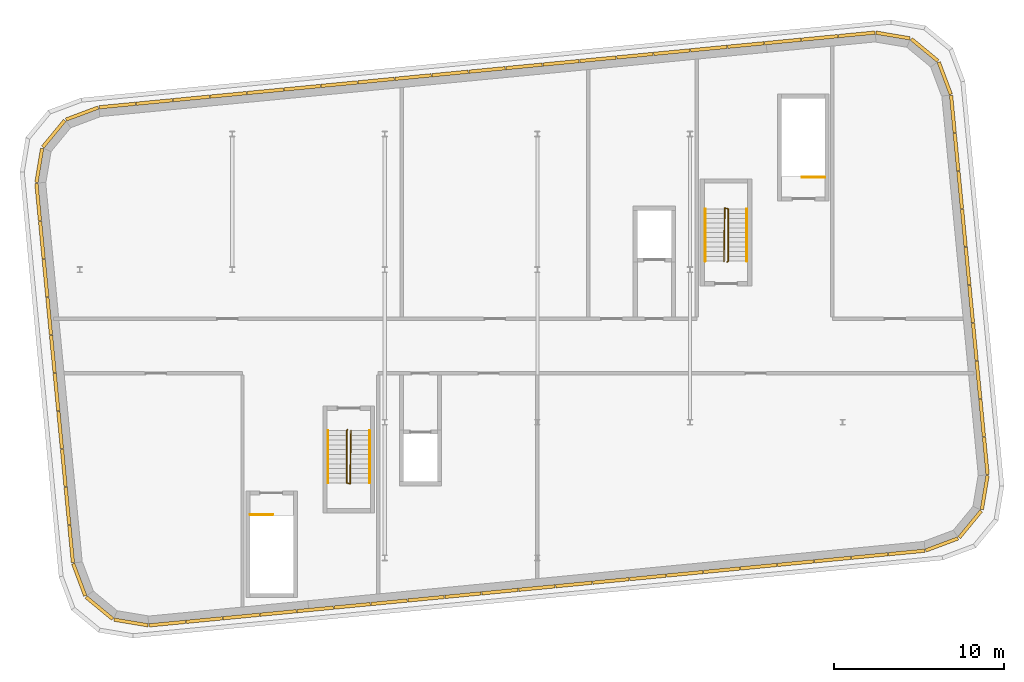
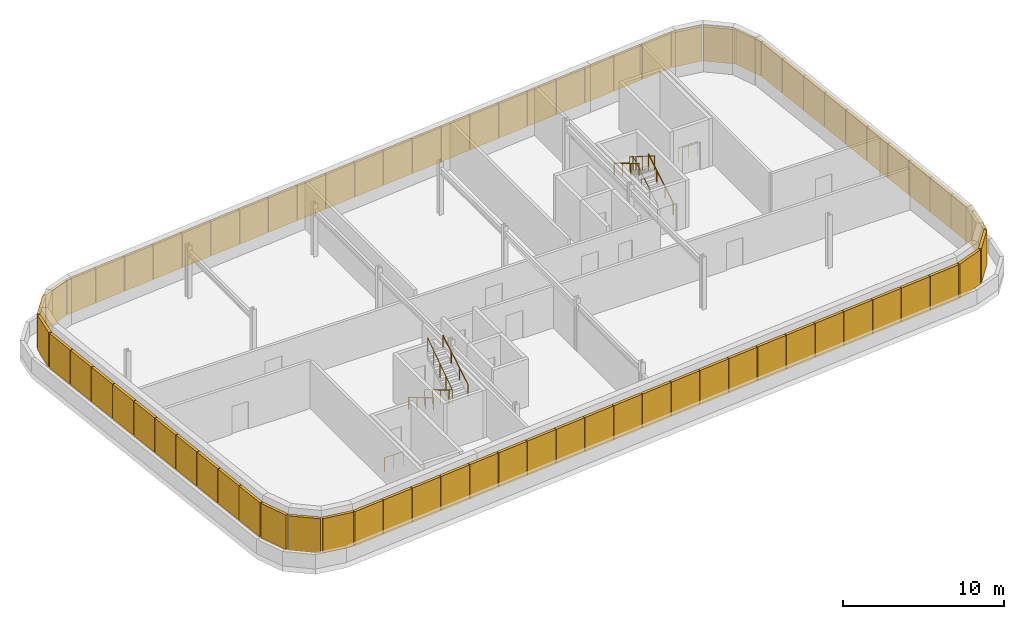
# One storey, part 6 of 6: 74 shading devices, 8 railings.
"""IFC4 building model written with IfcOpenShell, lengths in metres."""

from ifc_helpers import new_model, si_unit, direction, frame, origin, origin_2d, place, context, subcontext, project, spatial, rectangle, circle, extrude, material, type_object, element, save


model = new_model("IFC4")

# Units and contexts
model_context = context("Model", 3, precision=1e-05, world=origin(), true_north=direction((0.0, 1.0)))
body_context = subcontext(model_context, "Body", "Model", "MODEL_VIEW")
ifc_project = project(units=[si_unit("LENGTHUNIT", "METRE"), si_unit("AREAUNIT", "SQUARE_METRE"), si_unit("VOLUMEUNIT", "CUBIC_METRE"), si_unit("PLANEANGLEUNIT", "RADIAN"), si_unit("MASSUNIT", "GRAM", prefix="KILO")], contexts=[model_context])

# Site, building, storey
site_placement = place(None, origin())
site = spatial("IfcSite", under=ifc_project, at=site_placement, CompositionType="ELEMENT")
building_placement = place(site_placement, origin())
building = spatial("IfcBuilding", under=site, at=building_placement, Name="Kajstack Hotel Tower", CompositionType="ELEMENT")
storey_placement = place(building_placement, frame((0.0, 0.0, 321.800048828125)))
storey = spatial("IfcBuildingStorey", under=building, at=storey_placement, Name="L81", CompositionType="ELEMENT", Elevation=321.800048828125)

# Railings
ifc_material = material(Name="Steel S355J2", Category="steel")
railing_type_1 = type_object("IfcRailingType", Name="Stair guard 1100", PredefinedType="GUARDRAIL", material=ifc_material)
railing_1_placement = place(storey_placement, frame((-16.949951171875, -9.949951171875, 0.0)))
element("IfcRailing", 1, at=railing_1_placement, inside=storey, type_object=railing_type_1, Name="L81 W2 top well guard 1", PredefinedType="GUARDRAIL", context=body_context, shape_type="SweptSolid", body=[
    extrude(circle(Radius=0.02392578125, at=origin_2d()), frame((0.0, 0.0, 1.076171875), z_axis=(1.0, 0.0, 0.0), x_axis=(0.0, 1.0, 0.0)), (0.0, 0.0, 1.0), 1.349853515625),
    extrude(circle(Radius=0.02099609375, at=origin_2d()), origin(), (0.0, 0.0, 1.0), 1.052001953125),
    extrude(circle(Radius=0.02099609375, at=origin_2d()), frame((0.6748046875, 0.0, 0.0)), (0.0, 0.0, 1.0), 1.052001953125),
    extrude(circle(Radius=0.02099609375, at=origin_2d()), frame((1.349853515625, 0.0, 0.0)), (0.0, 0.0, 1.0), 1.052001953125),
])
railing_2_placement = place(storey_placement, frame((16.949951171875, 9.949951171875, 0.0)))
element("IfcRailing", 2, at=railing_2_placement, inside=storey, type_object=railing_type_1, Name="L81 E2 top well guard 1", PredefinedType="GUARDRAIL", context=body_context, shape_type="SweptSolid", body=[
    extrude(circle(Radius=0.02392578125, at=origin_2d()), frame((0.0, 0.0, 1.076171875), z_axis=(-1.0, 0.0, 0.0), x_axis=(0.0, -1.0, 0.0)), (0.0, 0.0, 1.0), 1.349853515625),
    extrude(circle(Radius=0.02099609375, at=origin_2d()), origin(), (0.0, 0.0, 1.0), 1.052001953125),
    extrude(circle(Radius=0.02099609375, at=origin_2d()), frame((-0.6748046875, 0.0, 0.0)), (0.0, 0.0, 1.0), 1.052001953125),
    extrude(circle(Radius=0.02099609375, at=origin_2d()), frame((-1.349853515625, 0.0, 0.0)), (0.0, 0.0, 1.0), 1.052001953125),
])
railing_3_placement = place(storey_placement, frame((-11.199951171875, -4.949951171875, 0.0)))
element("IfcRailing", 3, at=railing_3_placement, inside=storey, type_object=railing_type_1, Name="L81 R1 stair guard 1", PredefinedType="GUARDRAIL", context=body_context, shape_type="SweptSolid", body=[
    extrude(circle(Radius=0.02392578125, at=origin_2d()), frame((0.0, 0.0, 1.076171875), z_axis=(-0.27662974545, -0.27662974545, 0.920299933644), x_axis=(0.707106781187, -0.707106781187, 0.0)), (0.0, 0.0, 1.0), 0.180908203125),
    extrude(circle(Radius=0.02392578125, at=origin_2d()), frame((-0.050048828125, -0.050048828125, 1.24267578125), z_axis=(0.0, -0.85927862911, 0.511507807912), x_axis=(1.0, 0.0, 0.0)), (0.0, 0.0, 1.0), 3.58447265625),
    extrude(circle(Radius=0.02392578125, at=origin_2d()), frame((-0.050048828125, -3.130126953125, 3.076171875), z_axis=(0.970351222016, -0.241699205484, 0.0), x_axis=(0.241699205484, 0.970351222016, 0.0)), (0.0, 0.0, 1.0), 0.2060546875),
    extrude(circle(Radius=0.02392578125, at=origin_2d()), frame((0.14990234375, -3.179931640625, 3.076171875), z_axis=(0.013473340278, 0.842576694466, 0.538407822236), x_axis=(-0.999872174235, 0.01598859561, 0.0)), (0.0, 0.0, 1.0), 3.714599609375),
    extrude(circle(Radius=0.02099609375, at=origin_2d()), origin(), (0.0, 0.0, 1.0), 1.052001953125),
    extrude(circle(Radius=0.02099609375, at=origin_2d()), frame((-0.050048828125, -0.050048828125, 0.16650390625)), (0.0, 0.0, 1.0), 1.052001953125),
    extrude(circle(Radius=0.02099609375, at=origin_2d()), frame((-0.050048828125, -1.07666015625, 0.777587890625)), (0.0, 0.0, 1.0), 1.052001953125),
    extrude(circle(Radius=0.02099609375, at=origin_2d()), frame((-0.050048828125, -2.103515625, 1.388916015625)), (0.0, 0.0, 1.0), 1.052001953125),
    extrude(circle(Radius=0.02099609375, at=origin_2d()), frame((-0.050048828125, -3.130126953125, 2.0)), (0.0, 0.0, 1.0), 1.052001953125),
    extrude(circle(Radius=0.02099609375, at=origin_2d()), frame((0.14990234375, -3.179931640625, 2.0)), (0.0, 0.0, 1.0), 1.052001953125),
    extrude(circle(Radius=0.02099609375, at=origin_2d()), frame((0.162353515625, -2.3974609375, 2.5)), (0.0, 0.0, 1.0), 1.052001953125),
    extrude(circle(Radius=0.02099609375, at=origin_2d()), frame((0.1748046875, -1.614990234375, 3.0)), (0.0, 0.0, 1.0), 1.052001953125),
    extrude(circle(Radius=0.02099609375, at=origin_2d()), frame((0.1875, -0.83251953125, 3.5)), (0.0, 0.0, 1.0), 1.052001953125),
    extrude(circle(Radius=0.02099609375, at=origin_2d()), frame((0.199951171875, -0.050048828125, 4.0)), (0.0, 0.0, 1.0), 1.052001953125),
])
railing_4_placement = place(storey_placement, frame((11.199951171875, 4.949951171875, 0.0)))
element("IfcRailing", 4, at=railing_4_placement, inside=storey, type_object=railing_type_1, Name="L81 R2 stair guard 1", PredefinedType="GUARDRAIL", context=body_context, shape_type="SweptSolid", body=[
    extrude(circle(Radius=0.02392578125, at=origin_2d()), frame((0.0, 0.0, 1.076171875), z_axis=(0.27662974545, 0.27662974545, 0.920299933644), x_axis=(-0.707106781187, 0.707106781187, 0.0)), (0.0, 0.0, 1.0), 0.180908203125),
    extrude(circle(Radius=0.02392578125, at=origin_2d()), frame((0.050048828125, 0.050048828125, 1.24267578125), z_axis=(0.0, 0.85927862911, 0.511507807912), x_axis=(-1.0, 0.0, 0.0)), (0.0, 0.0, 1.0), 3.58447265625),
    extrude(circle(Radius=0.02392578125, at=origin_2d()), frame((0.050048828125, 3.130126953125, 3.076171875), z_axis=(-0.970351222016, 0.241699205484, 0.0), x_axis=(-0.241699205484, -0.970351222016, 0.0)), (0.0, 0.0, 1.0), 0.2060546875),
    extrude(circle(Radius=0.02392578125, at=origin_2d()), frame((-0.14990234375, 3.179931640625, 3.076171875), z_axis=(-0.013473340278, -0.842576694466, 0.538407822236), x_axis=(0.999872174235, -0.01598859561, 0.0)), (0.0, 0.0, 1.0), 3.714599609375),
    extrude(circle(Radius=0.02099609375, at=origin_2d()), origin(), (0.0, 0.0, 1.0), 1.052001953125),
    extrude(circle(Radius=0.02099609375, at=origin_2d()), frame((0.050048828125, 0.050048828125, 0.16650390625)), (0.0, 0.0, 1.0), 1.052001953125),
    extrude(circle(Radius=0.02099609375, at=origin_2d()), frame((0.050048828125, 1.07666015625, 0.777587890625)), (0.0, 0.0, 1.0), 1.052001953125),
    extrude(circle(Radius=0.02099609375, at=origin_2d()), frame((0.050048828125, 2.103515625, 1.388916015625)), (0.0, 0.0, 1.0), 1.052001953125),
    extrude(circle(Radius=0.02099609375, at=origin_2d()), frame((0.050048828125, 3.130126953125, 2.0)), (0.0, 0.0, 1.0), 1.052001953125),
    extrude(circle(Radius=0.02099609375, at=origin_2d()), frame((-0.14990234375, 3.179931640625, 2.0)), (0.0, 0.0, 1.0), 1.052001953125),
    extrude(circle(Radius=0.02099609375, at=origin_2d()), frame((-0.162353515625, 2.3974609375, 2.5)), (0.0, 0.0, 1.0), 1.052001953125),
    extrude(circle(Radius=0.02099609375, at=origin_2d()), frame((-0.1748046875, 1.614990234375, 3.0)), (0.0, 0.0, 1.0), 1.052001953125),
    extrude(circle(Radius=0.02099609375, at=origin_2d()), frame((-0.1875, 0.83251953125, 3.5)), (0.0, 0.0, 1.0), 1.052001953125),
    extrude(circle(Radius=0.02099609375, at=origin_2d()), frame((-0.199951171875, 0.050048828125, 4.0)), (0.0, 0.0, 1.0), 1.052001953125),
])
railing_type_2 = type_object("IfcRailingType", Name="Stair handrail 900", PredefinedType="HANDRAIL", material=ifc_material)
railing_5_placement = place(storey_placement, frame((-12.35009765625, -5.0, 0.16650390625)))
element("IfcRailing", 5, at=railing_5_placement, inside=storey, type_object=railing_type_2, Name="L81 R1 stair handrail 1", PredefinedType="HANDRAIL", context=body_context, shape_type="SweptSolid", body=[
    extrude(circle(Radius=0.02392578125, at=origin_2d()), frame((0.0, 0.0, 0.8759765625), z_axis=(0.0, -0.85927862911, 0.511507807912), x_axis=(1.0, 0.0, 0.0)), (0.0, 0.0, 1.0), 3.58447265625),
    extrude(circle(Radius=0.02099609375, at=origin_2d()), origin(), (0.0, 0.0, 1.0), 0.851806640625),
    extrude(circle(Radius=0.02099609375, at=origin_2d()), frame((0.0, -1.026611328125, 0.611083984375)), (0.0, 0.0, 1.0), 0.851806640625),
    extrude(circle(Radius=0.02099609375, at=origin_2d()), frame((0.0, -2.053466796875, 1.222412109375)), (0.0, 0.0, 1.0), 0.851806640625),
    extrude(circle(Radius=0.02099609375, at=origin_2d()), frame((0.0, -3.080078125, 1.83349609375)), (0.0, 0.0, 1.0), 0.851806640625),
])
for number, where, name in (
    (6, (-9.89990234375, -8.080078125, 2.16650390625), "L81 R1 stair handrail 2"),
    (7, (12.35009765625, 5.0, 0.16650390625), "L81 R2 stair handrail 1"),
):
    element("IfcRailing", number, at=place(storey_placement, frame(where)), inside=storey, type_object=railing_type_2, Name=name, PredefinedType="HANDRAIL", context=body_context, shape_type="SweptSolid", body=[
        extrude(circle(Radius=0.02392578125, at=origin_2d()), frame((0.0, 0.0, 0.8759765625), z_axis=(0.0, 0.85927862911, 0.511507807912), x_axis=(-1.0, 0.0, 0.0)), (0.0, 0.0, 1.0), 3.58447265625),
        extrude(circle(Radius=0.02099609375, at=origin_2d()), origin(), (0.0, 0.0, 1.0), 0.851806640625),
        extrude(circle(Radius=0.02099609375, at=origin_2d()), frame((0.0, 1.026611328125, 0.611083984375)), (0.0, 0.0, 1.0), 0.851806640625),
        extrude(circle(Radius=0.02099609375, at=origin_2d()), frame((0.0, 2.053466796875, 1.222412109375)), (0.0, 0.0, 1.0), 0.851806640625),
        extrude(circle(Radius=0.02099609375, at=origin_2d()), frame((0.0, 3.080078125, 1.83349609375)), (0.0, 0.0, 1.0), 0.851806640625),
    ])
railing_6_placement = place(storey_placement, frame((9.89990234375, 8.080078125, 2.16650390625)))
element("IfcRailing", 8, at=railing_6_placement, inside=storey, type_object=railing_type_2, Name="L81 R2 stair handrail 2", PredefinedType="HANDRAIL", context=body_context, shape_type="SweptSolid", body=[
    extrude(circle(Radius=0.02392578125, at=origin_2d()), frame((0.0, 0.0, 0.8759765625), z_axis=(0.0, -0.85927862911, 0.511507807912), x_axis=(1.0, 0.0, 0.0)), (0.0, 0.0, 1.0), 3.58447265625),
    extrude(circle(Radius=0.02099609375, at=origin_2d()), origin(), (0.0, 0.0, 1.0), 0.851806640625),
    extrude(circle(Radius=0.02099609375, at=origin_2d()), frame((0.0, -1.026611328125, 0.611083984375)), (0.0, 0.0, 1.0), 0.851806640625),
    extrude(circle(Radius=0.02099609375, at=origin_2d()), frame((0.0, -2.053466796875, 1.222412109375)), (0.0, 0.0, 1.0), 0.851806640625),
    extrude(circle(Radius=0.02099609375, at=origin_2d()), frame((0.0, -3.080078125, 1.83349609375)), (0.0, 0.0, 1.0), 0.851806640625),
])

# Shading devices
for number, where, z_axis, x_axis, name in (
    (9, (-29.44580078125, 8.48095703125, 0.5), (0.0, 0.0, 1.0), (0.095848914395, -0.995395893908, 0.0), "Louvre L81-00-01"),
    (10, (-29.22998046875, 6.241455078125, 0.5), (0.0, 0.0, 1.0), (0.095848914395, -0.995395893908, 0.0), "Louvre L81-00-02"),
    (11, (-29.014404296875, 4.001708984375, 0.5), (0.0, 0.0, 1.0), (0.095848914395, -0.995395893908, 0.0), "Louvre L81-00-03"),
    (12, (-28.798828125, 1.761962890625, 0.5), (0.0, 0.0, 1.0), (0.095848914395, -0.995395893908, 0.0), "Louvre L81-00-04"),
    (13, (-28.5830078125, -0.4775390625, 0.5), (0.0, 0.0, 1.0), (0.095848914395, -0.995395893908, 0.0), "Louvre L81-00-05"),
    (14, (-28.367431640625, -2.71728515625, 0.5), (0.0, 0.0, 1.0), (0.095848914395, -0.995395893908, 0.0), "Louvre L81-00-06"),
    (15, (-28.15185546875, -4.956787109375, 0.5), (0.0, 0.0, 1.0), (0.095848914395, -0.995395893908, 0.0), "Louvre L81-00-07"),
    (16, (-27.93603515625, -7.196533203125, 0.5), (0.0, 0.0, 1.0), (0.095848914395, -0.995395893908, 0.0), "Louvre L81-00-08"),
    (17, (-27.720458984375, -9.43603515625, 0.5), (0.0, 0.0, 1.0), (0.095848914395, -0.995395893908, 0.0), "Louvre L81-00-09"),
    (18, (-27.5048828125, -11.67578125, 0.5), (0.0, 0.0, 1.0), (0.095848914395, -0.995395893908, 0.0), "Louvre L81-00-10"),
):
    element("IfcShadingDevice", number, at=place(storey_placement, frame(where, z_axis=z_axis, x_axis=x_axis)), inside=storey, Name=name, ObjectType="LOUVRE", PredefinedType="USERDEFINED", context=body_context, shape_type="SweptSolid", body=[
        extrude(rectangle(XDim=2.2099609375, YDim=0.199951171875, at=origin_2d()), origin(), (0.0, 0.0, 1.0), 2.60009765625),
    ])
for number, where, z_axis, x_axis, name in (
    (19, (-27.028564453125, -13.790771484375, 0.5), (0.0, 0.0, 1.0), (0.350186472063, -0.936680006611, 0.0), "Louvre L81-01-01"),
    (20, (-25.837158203125, -15.461181640625, 0.5), (0.0, 0.0, 1.0), (0.771634596989, -0.636066072614, 0.0), "Louvre L81-02-01"),
    (21, (-23.969970703125, -16.31201171875, 0.5), (0.0, 0.0, 1.0), (0.986287986591, -0.165033352708, 0.0), "Louvre L81-03-01"),
):
    element("IfcShadingDevice", number, at=place(storey_placement, frame(where, z_axis=z_axis, x_axis=x_axis)), inside=storey, Name=name, ObjectType="LOUVRE", PredefinedType="USERDEFINED", context=body_context, shape_type="SweptSolid", body=[
        extrude(rectangle(XDim=2.030517578125, YDim=0.199951171875, at=origin_2d()), origin(), (0.0, 0.0, 1.0), 2.60009765625),
    ])
for number, where, z_axis, x_axis, name in (
    (22, (-21.832763671875, -16.378662109375, 0.5), (0.0, 0.0, 1.0), (0.99539622346, 0.095845491926, 0.0), "Louvre L81-04-01"),
    (23, (-19.65234375, -16.168701171875, 0.5), (0.0, 0.0, 1.0), (0.99539622346, 0.095845491926, 0.0), "Louvre L81-04-02"),
    (24, (-17.471923828125, -15.958984375, 0.5), (0.0, 0.0, 1.0), (0.99539622346, 0.095845491926, 0.0), "Louvre L81-04-03"),
    (25, (-15.29150390625, -15.7490234375, 0.5), (0.0, 0.0, 1.0), (0.99539622346, 0.095845491926, 0.0), "Louvre L81-04-04"),
    (26, (-13.111083984375, -15.5390625, 0.5), (0.0, 0.0, 1.0), (0.99539622346, 0.095845491926, 0.0), "Louvre L81-04-05"),
    (27, (-10.9306640625, -15.3291015625, 0.5), (0.0, 0.0, 1.0), (0.99539622346, 0.095845491926, 0.0), "Louvre L81-04-06"),
    (28, (-8.750244140625, -15.119140625, 0.5), (0.0, 0.0, 1.0), (0.99539622346, 0.095845491926, 0.0), "Louvre L81-04-07"),
    (29, (-6.570068359375, -14.9091796875, 0.5), (0.0, 0.0, 1.0), (0.99539622346, 0.095845491926, 0.0), "Louvre L81-04-08"),
    (30, (-4.3896484375, -14.69921875, 0.5), (0.0, 0.0, 1.0), (0.99539622346, 0.095845491926, 0.0), "Louvre L81-04-09"),
    (31, (-2.209228515625, -14.4892578125, 0.5), (0.0, 0.0, 1.0), (0.99539622346, 0.095845491926, 0.0), "Louvre L81-04-10"),
    (32, (-0.02880859375, -14.279296875, 0.5), (0.0, 0.0, 1.0), (0.99539622346, 0.095845491926, 0.0), "Louvre L81-04-11"),
    (33, (2.151611328125, -14.0693359375, 0.5), (0.0, 0.0, 1.0), (0.99539622346, 0.095845491926, 0.0), "Louvre L81-04-12"),
    (34, (4.33203125, -13.859375, 0.5), (0.0, 0.0, 1.0), (0.99539622346, 0.095845491926, 0.0), "Louvre L81-04-13"),
    (35, (6.512451171875, -13.6494140625, 0.5), (0.0, 0.0, 1.0), (0.99539622346, 0.095845491926, 0.0), "Louvre L81-04-14"),
    (36, (8.69287109375, -13.439453125, 0.5), (0.0, 0.0, 1.0), (0.99539622346, 0.095845491926, 0.0), "Louvre L81-04-15"),
    (37, (10.873291015625, -13.2294921875, 0.5), (0.0, 0.0, 1.0), (0.99539622346, 0.095845491926, 0.0), "Louvre L81-04-16"),
    (38, (13.0537109375, -13.01953125, 0.5), (0.0, 0.0, 1.0), (0.99539622346, 0.095845491926, 0.0), "Louvre L81-04-17"),
    (39, (15.23388671875, -12.8095703125, 0.5), (0.0, 0.0, 1.0), (0.99539622346, 0.095845491926, 0.0), "Louvre L81-04-18"),
    (40, (17.414306640625, -12.599609375, 0.5), (0.0, 0.0, 1.0), (0.99539622346, 0.095845491926, 0.0), "Louvre L81-04-19"),
    (41, (19.5947265625, -12.3896484375, 0.5), (0.0, 0.0, 1.0), (0.99539622346, 0.095845491926, 0.0), "Louvre L81-04-20"),
    (42, (21.775146484375, -12.179931640625, 0.5), (0.0, 0.0, 1.0), (0.99539622346, 0.095845491926, 0.0), "Louvre L81-04-21"),
):
    element("IfcShadingDevice", number, at=place(storey_placement, frame(where, z_axis=z_axis, x_axis=x_axis)), inside=storey, Name=name, ObjectType="LOUVRE", PredefinedType="USERDEFINED", context=body_context, shape_type="SweptSolid", body=[
        extrude(rectangle(XDim=2.150390625, YDim=0.199951171875, at=origin_2d()), origin(), (0.0, 0.0, 1.0), 2.60009765625),
    ])
for number, where, z_axis, x_axis, name in (
    (43, (23.860595703125, -11.706298828125, 0.5), (0.0, 0.0, 1.0), (0.936674084039, 0.35020231337, 0.0), "Louvre L81-05-01"),
    (44, (25.53076171875, -10.514892578125, 0.5), (0.0, 0.0, 1.0), (0.636066072614, 0.771634596989, 0.0), "Louvre L81-06-01"),
    (45, (26.3818359375, -8.64794921875, 0.5), (0.0, 0.0, 1.0), (0.165080329453, 0.986280124928, 0.0), "Louvre L81-07-01"),
):
    element("IfcShadingDevice", number, at=place(storey_placement, frame(where, z_axis=z_axis, x_axis=x_axis)), inside=storey, Name=name, ObjectType="LOUVRE", PredefinedType="USERDEFINED", context=body_context, shape_type="SweptSolid", body=[
        extrude(rectangle(XDim=2.030517578125, YDim=0.199951171875, at=origin_2d()), origin(), (0.0, 0.0, 1.0), 2.60009765625),
    ])
for number, where, z_axis, x_axis, name in (
    (46, (26.44580078125, -6.48095703125, 0.5), (0.0, 0.0, 1.0), (-0.095848914395, 0.995395893908, 0.0), "Louvre L81-08-01"),
    (47, (26.22998046875, -4.241455078125, 0.5), (0.0, 0.0, 1.0), (-0.095848914395, 0.995395893908, 0.0), "Louvre L81-08-02"),
    (48, (26.014404296875, -2.001708984375, 0.5), (0.0, 0.0, 1.0), (-0.095848914395, 0.995395893908, 0.0), "Louvre L81-08-03"),
    (49, (25.798828125, 0.238037109375, 0.5), (0.0, 0.0, 1.0), (-0.095848914395, 0.995395893908, 0.0), "Louvre L81-08-04"),
    (50, (25.5830078125, 2.4775390625, 0.5), (0.0, 0.0, 1.0), (-0.095848914395, 0.995395893908, 0.0), "Louvre L81-08-05"),
    (51, (25.367431640625, 4.71728515625, 0.5), (0.0, 0.0, 1.0), (-0.095848914395, 0.995395893908, 0.0), "Louvre L81-08-06"),
    (52, (25.15185546875, 6.956787109375, 0.5), (0.0, 0.0, 1.0), (-0.095848914395, 0.995395893908, 0.0), "Louvre L81-08-07"),
    (53, (24.93603515625, 9.196533203125, 0.5), (0.0, 0.0, 1.0), (-0.095848914395, 0.995395893908, 0.0), "Louvre L81-08-08"),
    (54, (24.720458984375, 11.43603515625, 0.5), (0.0, 0.0, 1.0), (-0.095848914395, 0.995395893908, 0.0), "Louvre L81-08-09"),
    (55, (24.5048828125, 13.67578125, 0.5), (0.0, 0.0, 1.0), (-0.095848914395, 0.995395893908, 0.0), "Louvre L81-08-10"),
):
    element("IfcShadingDevice", number, at=place(storey_placement, frame(where, z_axis=z_axis, x_axis=x_axis)), inside=storey, Name=name, ObjectType="LOUVRE", PredefinedType="USERDEFINED", context=body_context, shape_type="SweptSolid", body=[
        extrude(rectangle(XDim=2.2099609375, YDim=0.199951171875, at=origin_2d()), origin(), (0.0, 0.0, 1.0), 2.60009765625),
    ])
for number, where, z_axis, x_axis, name in (
    (56, (24.028564453125, 15.790771484375, 0.5), (0.0, 0.0, 1.0), (-0.350186472063, 0.936680006611, 0.0), "Louvre L81-09-01"),
    (57, (22.837158203125, 17.461181640625, 0.5), (0.0, 0.0, 1.0), (-0.771634596989, 0.636066072614, 0.0), "Louvre L81-10-01"),
    (58, (20.969970703125, 18.31201171875, 0.5), (0.0, 0.0, 1.0), (-0.986287986591, 0.165033352708, 0.0), "Louvre L81-11-01"),
):
    element("IfcShadingDevice", number, at=place(storey_placement, frame(where, z_axis=z_axis, x_axis=x_axis)), inside=storey, Name=name, ObjectType="LOUVRE", PredefinedType="USERDEFINED", context=body_context, shape_type="SweptSolid", body=[
        extrude(rectangle(XDim=2.030517578125, YDim=0.199951171875, at=origin_2d()), origin(), (0.0, 0.0, 1.0), 2.60009765625),
    ])
for number, where, z_axis, x_axis, name in (
    (59, (18.832763671875, 18.378662109375, 0.5), (0.0, 0.0, 1.0), (-0.99539622346, -0.095845491926, 0.0), "Louvre L81-12-01"),
    (60, (16.65234375, 18.168701171875, 0.5), (0.0, 0.0, 1.0), (-0.99539622346, -0.095845491926, 0.0), "Louvre L81-12-02"),
    (61, (14.471923828125, 17.958984375, 0.5), (0.0, 0.0, 1.0), (-0.99539622346, -0.095845491926, 0.0), "Louvre L81-12-03"),
    (62, (12.29150390625, 17.7490234375, 0.5), (0.0, 0.0, 1.0), (-0.99539622346, -0.095845491926, 0.0), "Louvre L81-12-04"),
    (63, (10.111083984375, 17.5390625, 0.5), (0.0, 0.0, 1.0), (-0.99539622346, -0.095845491926, 0.0), "Louvre L81-12-05"),
    (64, (7.9306640625, 17.3291015625, 0.5), (0.0, 0.0, 1.0), (-0.99539622346, -0.095845491926, 0.0), "Louvre L81-12-06"),
    (65, (5.750244140625, 17.119140625, 0.5), (0.0, 0.0, 1.0), (-0.99539622346, -0.095845491926, 0.0), "Louvre L81-12-07"),
    (66, (3.570068359375, 16.9091796875, 0.5), (0.0, 0.0, 1.0), (-0.99539622346, -0.095845491926, 0.0), "Louvre L81-12-08"),
    (67, (1.3896484375, 16.69921875, 0.5), (0.0, 0.0, 1.0), (-0.99539622346, -0.095845491926, 0.0), "Louvre L81-12-09"),
    (68, (-0.790771484375, 16.4892578125, 0.5), (0.0, 0.0, 1.0), (-0.99539622346, -0.095845491926, 0.0), "Louvre L81-12-10"),
    (69, (-2.97119140625, 16.279296875, 0.5), (0.0, 0.0, 1.0), (-0.99539622346, -0.095845491926, 0.0), "Louvre L81-12-11"),
    (70, (-5.151611328125, 16.0693359375, 0.5), (0.0, 0.0, 1.0), (-0.99539622346, -0.095845491926, 0.0), "Louvre L81-12-12"),
    (71, (-7.33203125, 15.859375, 0.5), (0.0, 0.0, 1.0), (-0.99539622346, -0.095845491926, 0.0), "Louvre L81-12-13"),
    (72, (-9.512451171875, 15.6494140625, 0.5), (0.0, 0.0, 1.0), (-0.99539622346, -0.095845491926, 0.0), "Louvre L81-12-14"),
    (73, (-11.69287109375, 15.439453125, 0.5), (0.0, 0.0, 1.0), (-0.99539622346, -0.095845491926, 0.0), "Louvre L81-12-15"),
    (74, (-13.873291015625, 15.2294921875, 0.5), (0.0, 0.0, 1.0), (-0.99539622346, -0.095845491926, 0.0), "Louvre L81-12-16"),
    (75, (-16.0537109375, 15.01953125, 0.5), (0.0, 0.0, 1.0), (-0.99539622346, -0.095845491926, 0.0), "Louvre L81-12-17"),
    (76, (-18.23388671875, 14.8095703125, 0.5), (0.0, 0.0, 1.0), (-0.99539622346, -0.095845491926, 0.0), "Louvre L81-12-18"),
    (77, (-20.414306640625, 14.599609375, 0.5), (0.0, 0.0, 1.0), (-0.99539622346, -0.095845491926, 0.0), "Louvre L81-12-19"),
    (78, (-22.5947265625, 14.3896484375, 0.5), (0.0, 0.0, 1.0), (-0.99539622346, -0.095845491926, 0.0), "Louvre L81-12-20"),
    (79, (-24.775146484375, 14.179931640625, 0.5), (0.0, 0.0, 1.0), (-0.99539622346, -0.095845491926, 0.0), "Louvre L81-12-21"),
):
    element("IfcShadingDevice", number, at=place(storey_placement, frame(where, z_axis=z_axis, x_axis=x_axis)), inside=storey, Name=name, ObjectType="LOUVRE", PredefinedType="USERDEFINED", context=body_context, shape_type="SweptSolid", body=[
        extrude(rectangle(XDim=2.150390625, YDim=0.199951171875, at=origin_2d()), origin(), (0.0, 0.0, 1.0), 2.60009765625),
    ])
for number, where, z_axis, x_axis, name in (
    (80, (-26.860595703125, 13.706298828125, 0.5), (0.0, 0.0, 1.0), (-0.936674084039, -0.35020231337, 0.0), "Louvre L81-13-01"),
    (81, (-28.53076171875, 12.514892578125, 0.5), (0.0, 0.0, 1.0), (-0.636066072614, -0.771634596989, 0.0), "Louvre L81-14-01"),
    (82, (-29.3818359375, 10.64794921875, 0.5), (0.0, 0.0, 1.0), (-0.165080329453, -0.986280124928, 0.0), "Louvre L81-15-01"),
):
    element("IfcShadingDevice", number, at=place(storey_placement, frame(where, z_axis=z_axis, x_axis=x_axis)), inside=storey, Name=name, ObjectType="LOUVRE", PredefinedType="USERDEFINED", context=body_context, shape_type="SweptSolid", body=[
        extrude(rectangle(XDim=2.030517578125, YDim=0.199951171875, at=origin_2d()), origin(), (0.0, 0.0, 1.0), 2.60009765625),
    ])

save(model, "model.ifc")
